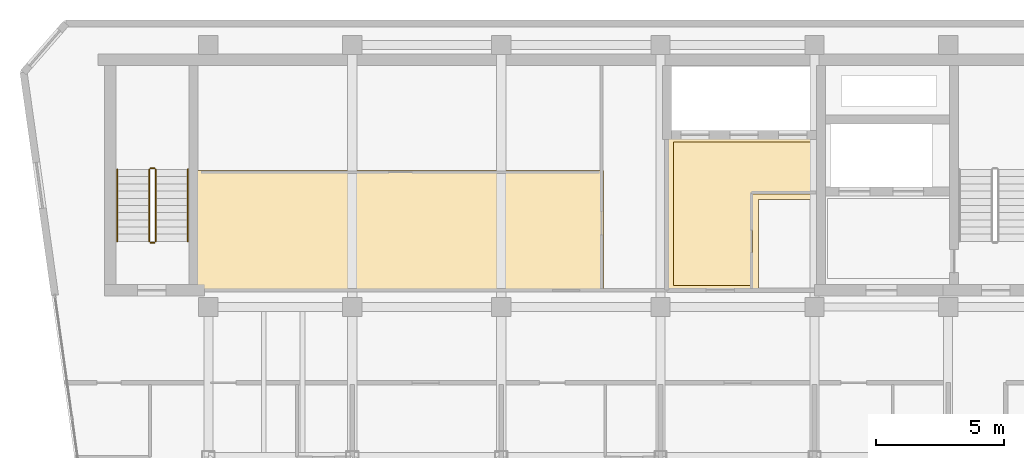
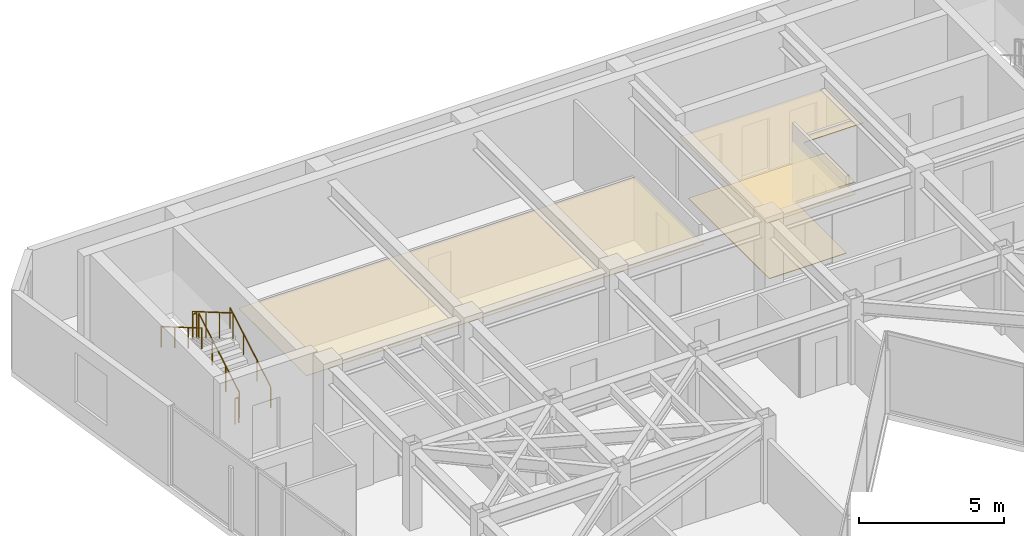
# One storey, part 19 of 20: 6 railings, 3 coverings.
"""IFC4 building model written with IfcOpenShell, lengths in metres."""

from ifc_helpers import new_model, si_unit, direction, frame, origin, origin_2d, place, context, subcontext, project, spatial, polyline, circle, outline, extrude, material, layer, layer_set, type_object, element, save


model = new_model("IFC4")

# Units and contexts
model_context = context("Model", 3, precision=1e-05, world=origin(), true_north=direction((0.0, 1.0)))
body_context = subcontext(model_context, "Body", "Model", "MODEL_VIEW")
ifc_project = project(units=[si_unit("LENGTHUNIT", "METRE"), si_unit("AREAUNIT", "SQUARE_METRE"), si_unit("VOLUMEUNIT", "CUBIC_METRE"), si_unit("PLANEANGLEUNIT", "RADIAN"), si_unit("MASSUNIT", "GRAM", prefix="KILO")], contexts=[model_context])

# Site, building, storey
site_placement = place(None, origin())
site = spatial("IfcSite", under=ifc_project, at=site_placement, CompositionType="ELEMENT")
building_placement = place(site_placement, origin())
building = spatial("IfcBuilding", under=site, at=building_placement, Name="Kravanh Interchange Tower", CompositionType="ELEMENT")
storey_placement = place(building_placement, frame((0.0, 0.0, 234.60009765625)))
storey = spatial("IfcBuildingStorey", under=building, at=storey_placement, Name="L56", CompositionType="ELEMENT", Elevation=234.60009765625)

# Coverings
ifc_material_1 = material(Name="Cementitious Terrazzo Tile")
ifc_layer_1 = layer(ifc_material_1, 0.030029296875)
ifc_layer_set_1 = layer_set([ifc_layer_1], Name="Honed Terrazzo Lobby Flooring 30mm")
covering_type_1 = type_object("IfcCoveringType", Name="Honed Terrazzo Lobby Flooring 30mm", PredefinedType="FLOORING", material=ifc_layer_set_1)
covering_1_placement = place(storey_placement, origin())
element("IfcCovering", 1, at=covering_1_placement, inside=storey, type_object=covering_type_1, Name="L56 High-Rise Lift Lobby Floor Finish", PredefinedType="FLOORING", context=body_context, shape_type="SweptSolid", body=[
    extrude(outline(polyline([(45.300048828125, 43.77001953125), (50.77001953125, 43.77001953125), (50.77001953125, 41.75), (48.389892578125, 41.75), (48.389892578125, 38.179931640625), (45.300048828125, 38.179931640625), (45.300048828125, 43.77001953125)])), origin(), (0.0, 0.0, 1.0), 0.02978515625),
])
ifc_material_2 = material(Name="Acoustic Mineral Fibre Tile on Aluminium Grid", Category="aluminium")
ifc_layer_2 = layer(ifc_material_2, 0.02490234375)
ifc_layer_set_2 = layer_set([ifc_layer_2], Name="Perforated Acoustic Mineral Ceiling 25mm")
covering_type_2 = type_object("IfcCoveringType", Name="Perforated Acoustic Mineral Ceiling 25mm", PredefinedType="CEILING", material=ifc_layer_set_2)
covering_2_placement = place(storey_placement, frame((0.0, 0.0, 2.5498046875)))
element("IfcCovering", 2, at=covering_2_placement, inside=storey, type_object=covering_type_2, Name="L56 High-Rise Lift Lobby Suspended Ceiling", PredefinedType="CEILING", context=body_context, shape_type="SweptSolid", body=[
    extrude(outline(polyline([(50.989990234375, 41.530029296875), (48.610107421875, 41.530029296875), (48.610107421875, 37.9599609375), (45.080078125, 37.9599609375), (45.080078125, 43.989990234375), (50.989990234375, 43.989990234375), (50.989990234375, 41.530029296875)])), origin(), (0.0, 0.0, 1.0), 0.025146484375),
])
covering_3_placement = place(storey_placement, frame((0.0, 0.0, 2.5498046875)))
element("IfcCovering", 3, at=covering_3_placement, inside=storey, type_object=covering_type_2, Name="L56 Executive Business Study Suspended Ceiling", PredefinedType="CEILING", context=body_context, shape_type="SweptSolid", body=[
    extrude(outline(polyline([(42.580078125, 42.659912109375), (42.580078125, 37.9599609375), (26.7099609375, 37.9599609375), (26.7099609375, 42.659912109375), (42.580078125, 42.659912109375)])), origin(), (0.0, 0.0, 1.0), 0.025146484375),
])

# Railings
ifc_material_3 = material(Name="Structural Steel S355", Category="steel")
ifc_layer_3 = layer(ifc_material_3, 0.050048828125)
ifc_layer_set_3 = layer_set([ifc_layer_3], Name="Stair Well Guardrail Structural Steel S355 1100mm")
railing_type_1 = type_object("IfcRailingType", Name="Stair Well Guardrail Structural Steel S355 1100mm", PredefinedType="GUARDRAIL", material=ifc_layer_set_3)
railing_1_placement = place(storey_placement, frame((25.14990234375, 39.89990234375, 0.16357421875)))
element("IfcRailing", 4, at=railing_1_placement, inside=storey, type_object=railing_type_1, Name="L56 ST3 stair guard 1", PredefinedType="GUARDRAIL", context=body_context, shape_type="SweptSolid", body=[
    extrude(circle(Radius=0.02392578125, at=origin_2d()), frame((0.0, 0.0, 1.076171875), z_axis=(0.0, 0.863393664356, 0.504530851732), x_axis=(-1.0, 0.0, 0.0)), (0.0, 0.0, 1.0), 3.2431640625),
    extrude(circle(Radius=0.02099609375, at=origin_2d()), origin(), (0.0, 0.0, 1.0), 1.052001953125),
    extrude(circle(Radius=0.02099609375, at=origin_2d()), frame((0.0, 0.933349609375, 0.54541015625)), (0.0, 0.0, 1.0), 1.052001953125),
    extrude(circle(Radius=0.02099609375, at=origin_2d()), frame((0.0, 1.86669921875, 1.0908203125)), (0.0, 0.0, 1.0), 1.052001953125),
    extrude(circle(Radius=0.02099609375, at=origin_2d()), frame((0.0, 2.800048828125, 1.63623046875)), (0.0, 0.0, 1.0), 1.052001953125),
])
railing_2_placement = place(storey_placement, frame((25.10009765625, 42.75, 1.7998046875)))
element("IfcRailing", 5, at=railing_2_placement, inside=storey, type_object=railing_type_1, Name="L56 ST3 stair guard 2", PredefinedType="GUARDRAIL", context=body_context, shape_type="SweptSolid", body=[
    extrude(circle(Radius=0.02392578125, at=origin_2d()), frame((0.0, 0.0, 1.076171875), z_axis=(-1.0, 0.0, 0.0), x_axis=(0.0, -1.0, 0.0)), (0.0, 0.0, 1.0), 0.150146484375),
    extrude(circle(Radius=0.02099609375, at=origin_2d()), origin(), (0.0, 0.0, 1.0), 1.052001953125),
    extrude(circle(Radius=0.02099609375, at=origin_2d()), frame((-0.150146484375, 0.0, 0.0)), (0.0, 0.0, 1.0), 1.052001953125),
])
railing_3_placement = place(storey_placement, frame((24.89990234375, 42.699951171875, 1.963623046875)))
element("IfcRailing", 6, at=railing_3_placement, inside=storey, type_object=railing_type_1, Name="L56 ST3 stair guard 3", PredefinedType="GUARDRAIL", context=body_context, shape_type="SweptSolid", body=[
    extrude(circle(Radius=0.02392578125, at=origin_2d()), frame((0.0, 0.0, 1.076171875), z_axis=(0.0, -0.863393664356, 0.504530851732), x_axis=(1.0, 0.0, 0.0)), (0.0, 0.0, 1.0), 3.2431640625),
    extrude(circle(Radius=0.02099609375, at=origin_2d()), origin(), (0.0, 0.0, 1.0), 1.052001953125),
    extrude(circle(Radius=0.02099609375, at=origin_2d()), frame((0.0, -0.933349609375, 0.54541015625)), (0.0, 0.0, 1.0), 1.052001953125),
    extrude(circle(Radius=0.02099609375, at=origin_2d()), frame((0.0, -1.86669921875, 1.0908203125)), (0.0, 0.0, 1.0), 1.052001953125),
    extrude(circle(Radius=0.02099609375, at=origin_2d()), frame((0.0, -2.800048828125, 1.63623046875)), (0.0, 0.0, 1.0), 1.052001953125),
])
railing_4_placement = place(storey_placement, frame((25.10009765625, 39.85009765625, 0.0)))
element("IfcRailing", 7, at=railing_4_placement, inside=storey, type_object=railing_type_1, Name="L56 ST3 stair guard 4", PredefinedType="GUARDRAIL", context=body_context, shape_type="SweptSolid", body=[
    extrude(circle(Radius=0.02392578125, at=origin_2d()), frame((0.0, 0.0, 1.076171875), z_axis=(-1.0, 0.0, 0.0), x_axis=(0.0, -1.0, 0.0)), (0.0, 0.0, 1.0), 0.150146484375),
    extrude(circle(Radius=0.02099609375, at=origin_2d()), origin(), (0.0, 0.0, 1.0), 1.052001953125),
    extrude(circle(Radius=0.02099609375, at=origin_2d()), frame((-0.150146484375, 0.0, 0.0)), (0.0, 0.0, 1.0), 1.052001953125),
])
ifc_material_4 = material(Name="Stainless Steel 304", Category="steel")
ifc_layer_4 = layer(ifc_material_4, 0.044921875)
ifc_layer_set_4 = layer_set([ifc_layer_4], Name="Tubular Stair Handrail Stainless 304 900mm")
railing_type_2 = type_object("IfcRailingType", Name="Tubular Stair Handrail Stainless 304 900mm", PredefinedType="HANDRAIL", material=ifc_layer_set_4)
railing_5_placement = place(storey_placement, frame((26.39990234375, 39.89990234375, 0.16357421875)))
element("IfcRailing", 8, at=railing_5_placement, inside=storey, type_object=railing_type_2, Name="L56 ST3 stair handrail 1", PredefinedType="HANDRAIL", context=body_context, shape_type="SweptSolid", body=[
    extrude(circle(Radius=0.02392578125, at=origin_2d()), frame((0.0, 0.0, 0.8759765625), z_axis=(0.0, 0.863393664356, 0.504530851732), x_axis=(-1.0, 0.0, 0.0)), (0.0, 0.0, 1.0), 3.2431640625),
    extrude(circle(Radius=0.02099609375, at=origin_2d()), origin(), (0.0, 0.0, 1.0), 0.851806640625),
    extrude(circle(Radius=0.02099609375, at=origin_2d()), frame((0.0, 0.933349609375, 0.54541015625)), (0.0, 0.0, 1.0), 0.851806640625),
    extrude(circle(Radius=0.02099609375, at=origin_2d()), frame((0.0, 1.86669921875, 1.0908203125)), (0.0, 0.0, 1.0), 0.851806640625),
    extrude(circle(Radius=0.02099609375, at=origin_2d()), frame((0.0, 2.800048828125, 1.63623046875)), (0.0, 0.0, 1.0), 0.851806640625),
])
railing_6_placement = place(storey_placement, frame((23.64990234375, 42.699951171875, 1.963623046875)))
element("IfcRailing", 9, at=railing_6_placement, inside=storey, type_object=railing_type_2, Name="L56 ST3 stair handrail 2", PredefinedType="HANDRAIL", context=body_context, shape_type="SweptSolid", body=[
    extrude(circle(Radius=0.02392578125, at=origin_2d()), frame((0.0, 0.0, 0.8759765625), z_axis=(0.0, -0.863393664356, 0.504530851732), x_axis=(1.0, 0.0, 0.0)), (0.0, 0.0, 1.0), 3.2431640625),
    extrude(circle(Radius=0.02099609375, at=origin_2d()), origin(), (0.0, 0.0, 1.0), 0.851806640625),
    extrude(circle(Radius=0.02099609375, at=origin_2d()), frame((0.0, -0.933349609375, 0.54541015625)), (0.0, 0.0, 1.0), 0.851806640625),
    extrude(circle(Radius=0.02099609375, at=origin_2d()), frame((0.0, -1.86669921875, 1.0908203125)), (0.0, 0.0, 1.0), 0.851806640625),
    extrude(circle(Radius=0.02099609375, at=origin_2d()), frame((0.0, -2.800048828125, 1.63623046875)), (0.0, 0.0, 1.0), 0.851806640625),
])

save(model, "model.ifc")
